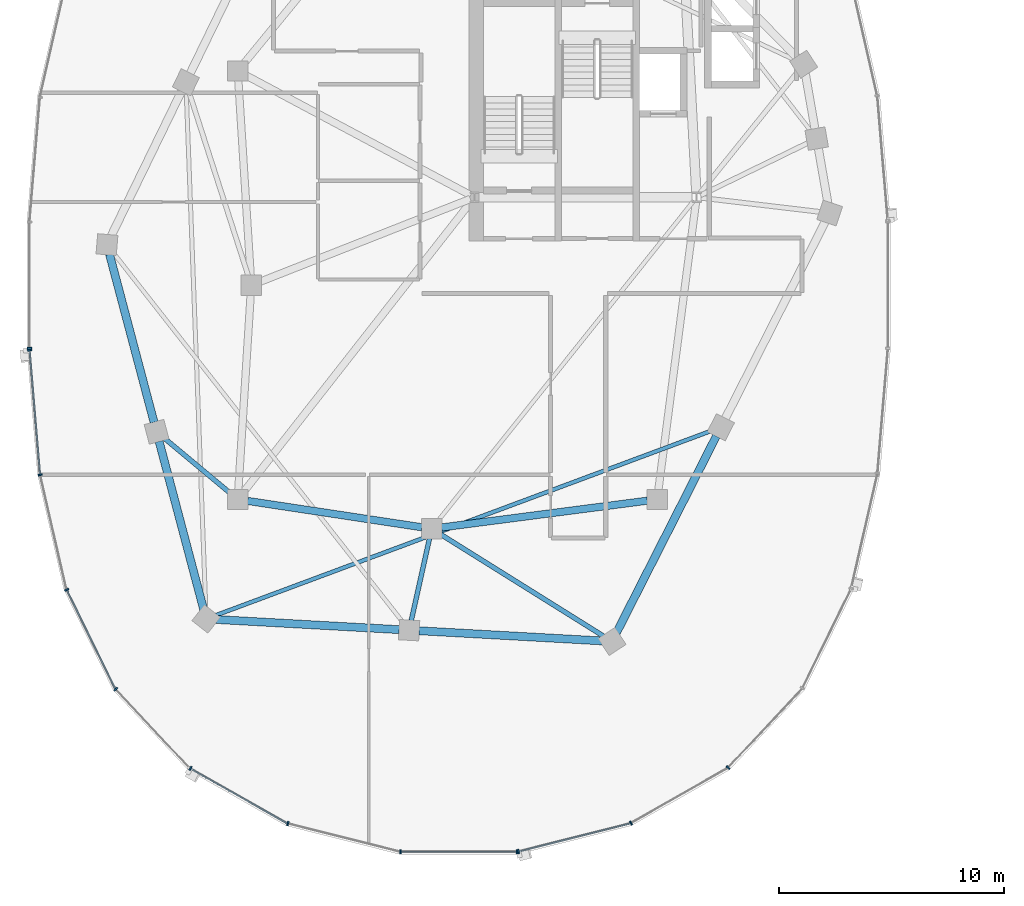
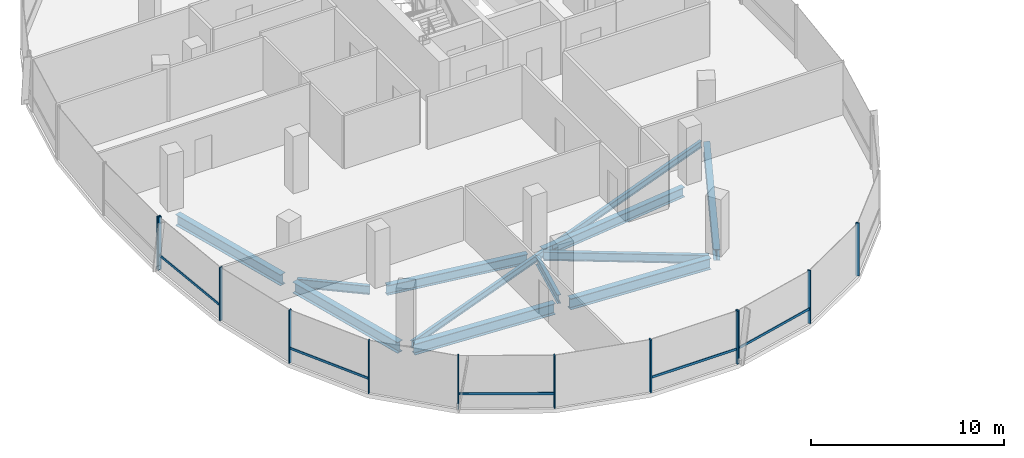
# One storey, part 3 of 25: 17 members, 11 beams, 3 elements without a shape of their own.
"""IFC4 building model written with IfcOpenShell, lengths in metres."""

from ifc_helpers import new_model, si_unit, direction, frame, origin, origin_2d, place, context, subcontext, project, spatial, rectangle, i_section, extrude, material, material_profile, profile_set, type_object, element, aggregate, save


model = new_model("IFC4")

# Units and contexts
model_context = context("Model", 3, precision=1e-05, world=origin(), true_north=direction((0.0, 1.0)))
body_context = subcontext(model_context, "Body", "Model", "MODEL_VIEW")
ifc_project = project(units=[si_unit("LENGTHUNIT", "METRE"), si_unit("AREAUNIT", "SQUARE_METRE"), si_unit("VOLUMEUNIT", "CUBIC_METRE"), si_unit("PLANEANGLEUNIT", "RADIAN"), si_unit("MASSUNIT", "GRAM", prefix="KILO"), si_unit("THERMODYNAMICTEMPERATUREUNIT", "KELVIN"), si_unit("POWERUNIT", "WATT")], contexts=[model_context])

# Site, building, storey
site_placement = place(None, origin())
site = spatial("IfcSite", under=ifc_project, at=site_placement, CompositionType="ELEMENT")
building_placement = place(site_placement, origin())
building = spatial("IfcBuilding", under=site, at=building_placement, Name="Cundina Bronze Exchange", CompositionType="ELEMENT")
storey_placement = place(building_placement, frame((0.0, 0.0, 209.800048828125)))
storey = spatial("IfcBuildingStorey", under=building, at=storey_placement, Name="L55", CompositionType="ELEMENT", Elevation=209.800048828125)

# Beams
ifc_material_1 = material(Name="Steel ASTM A992 Grade 50", Category="steel")
ifc_material_profile_1 = material_profile(ifc_material_1, i_section(OverallWidth=0.2119140625, OverallDepth=0.5439453125, WebThickness=0.01318359375, FlangeThickness=0.021240234375, FilletRadius=0.013916015625, at=origin_2d()), Name="W21X83", Category="steel")
ifc_profile_set_1 = profile_set([ifc_material_profile_1], Name="Steel ASTM A992 Grade 50")
beam_type_1 = type_object("IfcBeamType", Name="BM-FLR-W21A", PredefinedType="BEAM", material=ifc_profile_set_1)
beam_1_placement = place(storey_placement, frame((-42.136474609375, -9.219482421875, -0.531982421875), z_axis=(-0.768247540987, 0.640152884683, 0.0), x_axis=(-0.640152884683, -0.768247540987, 0.0)))
element("IfcBeam", 1, at=beam_1_placement, inside=storey, type_object=beam_type_1, Name="L55 Leg W Radial Floor Beam 09", PredefinedType="BEAM", context=body_context, shape_type="SweptSolid", body=[
    extrude(i_section(OverallWidth=0.2119140625, OverallDepth=0.5439453125, WebThickness=0.01318359375, FlangeThickness=0.021240234375, FilletRadius=0.013916015625, at=origin_2d()), origin(), (0.0, 0.0, 1.0), 3.81005859375),
])
beam_2_placement = place(storey_placement, frame((-33.294921875, -11.2275390625, -0.531982421875), z_axis=(-0.216958151571, -0.976180905605, 0.0), x_axis=(0.976180905605, -0.216958151571, 0.0)))
element("IfcBeam", 2, at=beam_2_placement, inside=storey, type_object=beam_type_1, Name="L55 Leg W Radial Floor Beam 11", PredefinedType="BEAM", context=body_context, shape_type="SweptSolid", body=[
    extrude(i_section(OverallWidth=0.2119140625, OverallDepth=0.5439453125, WebThickness=0.01318359375, FlangeThickness=0.021240234375, FilletRadius=0.013916015625, at=origin_2d()), origin(), (0.0, 0.0, 1.0), 3.733642578125),
])
beam_3_placement = place(storey_placement, frame((-32.82861328125, -11.031982421875, -0.531982421875), z_axis=(0.847995098703, -0.530004068452, 0.0), x_axis=(0.530004068452, 0.847995098703, 0.0)))
element("IfcBeam", 3, at=beam_3_placement, inside=storey, type_object=beam_type_1, Name="L55 Leg W Radial Floor Beam 12", PredefinedType="BEAM", context=body_context, shape_type="SweptSolid", body=[
    extrude(i_section(OverallWidth=0.2119140625, OverallDepth=0.5439453125, WebThickness=0.01318359375, FlangeThickness=0.021240234375, FilletRadius=0.013916015625, at=origin_2d()), origin(), (0.0, 0.0, 1.0), 8.55810546875),
])
ifc_material_profile_2 = material_profile(ifc_material_1, i_section(OverallWidth=0.178955078125, OverallDepth=0.409912109375, WebThickness=0.0087890625, FlangeThickness=0.014404296875, FilletRadius=0.010986328125, at=origin_2d()), Name="W16X45", Category="steel")
ifc_profile_set_2 = profile_set([ifc_material_profile_2], Name="Steel ASTM A992 Grade 50")
beam_type_2 = type_object("IfcBeamType", Name="BM-JST-W16", PredefinedType="JOIST", material=ifc_profile_set_2)
beam_4_placement = place(storey_placement, frame((-42.78955078125, -14.647216796875, -0.465087890625), z_axis=(0.937127927239, 0.348986028358, 0.0), x_axis=(-0.348986028358, 0.937127927239, 0.0)))
element("IfcBeam", 4, at=beam_4_placement, inside=storey, type_object=beam_type_2, Name="L55 Leg W Lobe Floor Joist 10-13", PredefinedType="JOIST", context=body_context, shape_type="SweptSolid", body=[
    extrude(i_section(OverallWidth=0.178955078125, OverallDepth=0.409912109375, WebThickness=0.0087890625, FlangeThickness=0.014404296875, FilletRadius=0.010986328125, at=origin_2d()), origin(), (0.0, 0.0, 1.0), 23.48046875),
])
ifc_material_profile_3 = material_profile(ifc_material_1, i_section(OverallWidth=0.324951171875, OverallDepth=0.615966796875, WebThickness=0.013916015625, FlangeThickness=0.021484375, FilletRadius=0.01611328125, at=origin_2d()), Name="W24X117", Category="steel")
ifc_profile_set_3 = profile_set([ifc_material_profile_3], Name="Steel ASTM A992 Grade 50")
beam_type_3 = type_object("IfcBeamType", Name="BM-RING-W24", PredefinedType="USERDEFINED", material=ifc_profile_set_3)
beam_5_placement = place(storey_placement, frame((-41.366943359375, -9.5654296875, -0.568115234375), z_axis=(0.988764903598, -0.149478979839, 0.0), x_axis=(0.149478979839, 0.988764903598, 0.0)))
element("IfcBeam", 5, at=beam_5_placement, inside=storey, type_object=beam_type_3, Name="L55 W Inner Structural Ring Girder 05", ObjectType="GIRDER", PredefinedType="USERDEFINED", context=body_context, shape_type="SweptSolid", body=[
    extrude(i_section(OverallWidth=0.324951171875, OverallDepth=0.615966796875, WebThickness=0.013916015625, FlangeThickness=0.021484375, FilletRadius=0.01611328125, at=origin_2d()), origin(), (0.0, 0.0, 1.0), 7.82177734375),
])
beam_6_placement = place(storey_placement, frame((-32.765625, -10.743408203125, -0.568115234375), z_axis=(0.991656498582, 0.128908451316, 0.0), x_axis=(-0.128908451316, 0.991656498582, 0.0)))
element("IfcBeam", 6, at=beam_6_placement, inside=storey, type_object=beam_type_3, Name="L55 W Inner Structural Ring Girder 06", ObjectType="GIRDER", PredefinedType="USERDEFINED", context=body_context, shape_type="SweptSolid", body=[
    extrude(i_section(OverallWidth=0.324951171875, OverallDepth=0.615966796875, WebThickness=0.013916015625, FlangeThickness=0.021484375, FilletRadius=0.01611328125, at=origin_2d()), origin(), (0.0, 0.0, 1.0), 9.208251953125),
])
ifc_material_profile_4 = material_profile(ifc_material_1, i_section(OverallWidth=0.35498046875, OverallDepth=0.695068359375, WebThickness=0.015380859375, FlangeThickness=0.02490234375, FilletRadius=0.01806640625, at=origin_2d()), Name="W27X146", Category="steel")
ifc_profile_set_4 = profile_set([ifc_material_profile_4], Name="Steel ASTM A992 Grade 50")
beam_type_4 = type_object("IfcBeamType", Name="BM-RING-W27", PredefinedType="USERDEFINED", material=ifc_profile_set_4)
for number, where, z_axis, x_axis, name in (
    (7, (-47.48779296875, 1.376708984375, -0.607666015625), (0.256211934474, -0.966620631185, 0.0), (0.966620631185, 0.256211934474, 0.0), "L55 W Perimeter Ring Girder 08"),
    (8, (-45.287841796875, -6.92333984375, -0.607666015625), (0.256211934474, -0.966620631185, 0.0), (0.966620631185, 0.256211934474, 0.0), "L55 W Perimeter Ring Girder 09"),
):
    element("IfcBeam", number, at=place(storey_placement, frame(where, z_axis=z_axis, x_axis=x_axis)), inside=storey, type_object=beam_type_4, Name=name, ObjectType="GIRDER", PredefinedType="USERDEFINED", context=body_context, shape_type="SweptSolid", body=[
        extrude(i_section(OverallWidth=0.35498046875, OverallDepth=0.695068359375, WebThickness=0.015380859375, FlangeThickness=0.02490234375, FilletRadius=0.01806640625, at=origin_2d()), origin(), (0.0, 0.0, 1.0), 7.710693359375),
    ])
for number, where, z_axis, x_axis, name in (
    (9, (-42.7626953125, -14.82421875, -0.607666015625), (0.998460353205, -0.055470019623, 0.0), (0.055470019623, 0.998460353205, 0.0), "L55 W Perimeter Ring Girder 10"),
    (10, (-33.7626953125, -15.32421875, -0.607666015625), (0.998460353205, -0.055470019623, 0.0), (0.055470019623, 0.998460353205, 0.0), "L55 W Perimeter Ring Girder 11"),
):
    element("IfcBeam", number, at=place(storey_placement, frame(where, z_axis=z_axis, x_axis=x_axis)), inside=storey, type_object=beam_type_4, Name=name, ObjectType="GIRDER", PredefinedType="USERDEFINED", context=body_context, shape_type="SweptSolid", body=[
        extrude(i_section(OverallWidth=0.35498046875, OverallDepth=0.695068359375, WebThickness=0.015380859375, FlangeThickness=0.02490234375, FilletRadius=0.01806640625, at=origin_2d()), origin(), (0.0, 0.0, 1.0), 8.137939453125),
    ])
beam_7_placement = place(storey_placement, frame((-25.001708984375, -15.409423828125, -0.607666015625), z_axis=(0.452846871434, 0.891588308039, 0.0), x_axis=(-0.891588308039, 0.452846871434, 0.0)))
element("IfcBeam", 11, at=beam_7_placement, inside=storey, type_object=beam_type_4, Name="L55 W Perimeter Ring Girder 12", ObjectType="GIRDER", PredefinedType="USERDEFINED", context=body_context, shape_type="SweptSolid", body=[
    extrude(i_section(OverallWidth=0.35498046875, OverallDepth=0.695068359375, WebThickness=0.015380859375, FlangeThickness=0.02490234375, FilletRadius=0.01806640625, at=origin_2d()), origin(), (0.0, 0.0, 1.0), 9.779052734375),
])

# Curtain wall, member
ifc_material_2 = material(Name="Anodised Bronze Aluminium 6063-T6", Category="aluminium")
curtain_wall_type = type_object("IfcCurtainWallType", Name="CWS-UPP-OFF", PredefinedType="NOTDEFINED", material=ifc_material_2)
curtain_wall_1_placement = place(storey_placement, origin())
curtain_wall_1 = element("IfcCurtainWall", 12, at=curtain_wall_1_placement, inside=storey, type_object=curtain_wall_type, Name="L55 CW-05 Curtain Wall Run CWR-L55-W2", PredefinedType="NOTDEFINED")
ifc_material_profile_5 = material_profile(ifc_material_2, rectangle(XDim=0.070068359375, YDim=0.18994140625, at=origin_2d()), Name="AL70X190", Category="aluminium")
ifc_profile_set_5 = profile_set([ifc_material_profile_5], Name="Anodised Bronze Aluminium 6063-T6")
member_type_1 = type_object("IfcMemberType", Name="CWM-MUL-190", PredefinedType="MULLION", material=ifc_profile_set_5)
member_1_placement = place(storey_placement, frame((-51.033935546875, -2.794921875, 0.0), z_axis=(0.0, 0.0, 1.0), x_axis=(0.0, -1.0, 0.0)))
member_1 = element("IfcMember", 13, at=member_1_placement, type_object=member_type_1, Name="CW-05 End Mullion", PredefinedType="MULLION", context=body_context, shape_type="SweptSolid", body=[
    extrude(rectangle(XDim=0.070068359375, YDim=0.18994140625, at=origin_2d()), origin(), (0.0, 0.0, 1.0), 3.33984375),
])
aggregate(curtain_wall_1, [member_1])

# Curtain wall, members
curtain_wall_2_placement = place(storey_placement, origin())
curtain_wall_2 = element("IfcCurtainWall", 14, at=curtain_wall_2_placement, inside=storey, type_object=curtain_wall_type, Name="L55 CW-05 Curtain Wall Run CWR-L55-W3", PredefinedType="NOTDEFINED")
member_2_placement = place(storey_placement, frame((-51.0302734375, -2.88330078125, 0.0), z_axis=(0.0, 0.0, 1.0), x_axis=(0.083677843332, -0.99649285925, 0.0)))
member_2 = element("IfcMember", 15, at=member_2_placement, type_object=member_type_1, Name="CW-05 Mullion 1", PredefinedType="MULLION", context=body_context, shape_type="SweptSolid", body=[
    extrude(rectangle(XDim=0.070068359375, YDim=0.18994140625, at=origin_2d()), origin(), (0.0, 0.0, 1.0), 3.33984375),
])
member_3_placement = place(storey_placement, frame((-50.56005859375, -8.4111328125, 0.0), z_axis=(0.0, 0.0, 1.0), x_axis=(0.223250116011, -0.974761194191, 0.0)))
member_3 = element("IfcMember", 16, at=member_3_placement, type_object=member_type_1, Name="CW-05 Mullion 2", PredefinedType="MULLION", context=body_context, shape_type="SweptSolid", body=[
    extrude(rectangle(XDim=0.070068359375, YDim=0.18994140625, at=origin_2d()), origin(), (0.0, 0.0, 1.0), 3.33984375),
])
member_4_placement = place(storey_placement, frame((-49.38427734375, -13.50732421875, 0.0), z_axis=(0.0, 0.0, 1.0), x_axis=(0.440566004113, -0.897720221461, 0.0)))
member_4 = element("IfcMember", 17, at=member_4_placement, type_object=member_type_1, Name="CW-05 Mullion 3", PredefinedType="MULLION", context=body_context, shape_type="SweptSolid", body=[
    extrude(rectangle(XDim=0.070068359375, YDim=0.18994140625, at=origin_2d()), origin(), (0.0, 0.0, 1.0), 3.33984375),
])
member_5_placement = place(storey_placement, frame((-47.209716796875, -17.91796875, 0.0), z_axis=(0.0, 0.0, 1.0), x_axis=(0.684292606175, -0.729207535023, 0.0)))
member_5 = element("IfcMember", 18, at=member_5_placement, type_object=member_type_1, Name="CW-05 Mullion 4", PredefinedType="MULLION", context=body_context, shape_type="SweptSolid", body=[
    extrude(rectangle(XDim=0.070068359375, YDim=0.18994140625, at=origin_2d()), origin(), (0.0, 0.0, 1.0), 3.33984375),
])
member_6_placement = place(storey_placement, frame((-43.899658203125, -21.43115234375, 0.0), z_axis=(0.0, 0.0, 1.0), x_axis=(0.86958112538, -0.493790103568, 0.0)))
member_6 = element("IfcMember", 19, at=member_6_placement, type_object=member_type_1, Name="CW-05 Mullion 5", PredefinedType="MULLION", context=body_context, shape_type="SweptSolid", body=[
    extrude(rectangle(XDim=0.070068359375, YDim=0.18994140625, at=origin_2d()), origin(), (0.0, 0.0, 1.0), 3.33984375),
])
member_7_placement = place(storey_placement, frame((-39.577392578125, -23.87548828125, 0.0), z_axis=(0.0, 0.0, 1.0), x_axis=(0.969744325821, -0.244122802168, 0.0)))
member_7 = element("IfcMember", 20, at=member_7_placement, type_object=member_type_1, Name="CW-05 Mullion 6", PredefinedType="MULLION", context=body_context, shape_type="SweptSolid", body=[
    extrude(rectangle(XDim=0.070068359375, YDim=0.18994140625, at=origin_2d()), origin(), (0.0, 0.0, 1.0), 3.33984375),
])
member_8_placement = place(storey_placement, frame((-34.580078125, -25.125, 0.0), z_axis=(0.0, 0.0, 1.0), x_axis=(1.0, 0.0, 0.0)))
member_8 = element("IfcMember", 21, at=member_8_placement, type_object=member_type_1, Name="CW-05 Mullion 7", PredefinedType="MULLION", context=body_context, shape_type="SweptSolid", body=[
    extrude(rectangle(XDim=0.070068359375, YDim=0.18994140625, at=origin_2d()), origin(), (0.0, 0.0, 1.0), 3.33984375),
])
member_9_placement = place(storey_placement, frame((-29.419921875, -25.125, 0.0), z_axis=(0.0, 0.0, 1.0), x_axis=(1.0, 0.0, 0.0)))
member_9 = element("IfcMember", 22, at=member_9_placement, type_object=member_type_1, Name="CW-05 End Mullion", PredefinedType="MULLION", context=body_context, shape_type="SweptSolid", body=[
    extrude(rectangle(XDim=0.070068359375, YDim=0.18994140625, at=origin_2d()), origin(), (0.0, 0.0, 1.0), 3.33984375),
])

curtain_wall_3_placement = place(storey_placement, origin())
curtain_wall_3 = element("IfcCurtainWall", 23, at=curtain_wall_3_placement, inside=storey, type_object=curtain_wall_type, Name="L55 CW-05 Curtain Wall Run CWR-L55-W4", PredefinedType="NOTDEFINED")
member_10_placement = place(storey_placement, frame((-29.3515625, -25.116455078125, 0.0), z_axis=(0.0, 0.0, 1.0), x_axis=(0.969744325821, 0.244122802168, 0.0)))
member_10 = element("IfcMember", 24, at=member_10_placement, type_object=member_type_1, Name="CW-05 Mullion 1", PredefinedType="MULLION", context=body_context, shape_type="SweptSolid", body=[
    extrude(rectangle(XDim=0.070068359375, YDim=0.18994140625, at=origin_2d()), origin(), (0.0, 0.0, 1.0), 3.33984375),
])
member_11_placement = place(storey_placement, frame((-24.361083984375, -23.850830078125, 0.0), z_axis=(0.0, 0.0, 1.0), x_axis=(0.86958112538, 0.493790103568, 0.0)))
member_11 = element("IfcMember", 25, at=member_11_placement, type_object=member_type_1, Name="CW-05 Mullion 2", PredefinedType="MULLION", context=body_context, shape_type="SweptSolid", body=[
    extrude(rectangle(XDim=0.070068359375, YDim=0.18994140625, at=origin_2d()), origin(), (0.0, 0.0, 1.0), 3.33984375),
])
member_12_placement = place(storey_placement, frame((-20.05126953125, -21.392578125, 0.0), z_axis=(0.0, 0.0, 1.0), x_axis=(0.684292606175, 0.729207535023, 0.0)))
member_12 = element("IfcMember", 26, at=member_12_placement, type_object=member_type_1, Name="CW-05 Mullion 3", PredefinedType="MULLION", context=body_context, shape_type="SweptSolid", body=[
    extrude(rectangle(XDim=0.070068359375, YDim=0.18994140625, at=origin_2d()), origin(), (0.0, 0.0, 1.0), 3.33984375),
])

# Member
ifc_material_profile_6 = material_profile(ifc_material_2, rectangle(XDim=0.06494140625, YDim=0.14990234375, at=origin_2d()), Name="AL65X150", Category="aluminium")
ifc_profile_set_6 = profile_set([ifc_material_profile_6], Name="Anodised Bronze Aluminium 6063-T6")
member_type_2 = type_object("IfcMemberType", Name="CWM-TRN-150", PredefinedType="USERDEFINED", material=ifc_profile_set_6)
member_13_placement = place(storey_placement, frame((-51.027099609375, -2.921630859375, 0.919921875), z_axis=(0.083740331158, -0.996487610027, 0.0), x_axis=(0.996487610027, 0.083740331158, 0.0)))
member_13 = element("IfcMember", 27, at=member_13_placement, type_object=member_type_2, Name="CW-05 Spandrel Transom 1", ObjectType="TRANSOM", PredefinedType="USERDEFINED", context=body_context, shape_type="SweptSolid", body=[
    extrude(rectangle(XDim=0.06494140625, YDim=0.14990234375, at=origin_2d()), origin(), (0.0, 0.0, 1.0), 5.466552734375),
])

member_14_placement = place(storey_placement, frame((-49.3671875, -13.5419921875, 0.919921875), z_axis=(0.440483110889, -0.897760897467, 0.0), x_axis=(0.897760897467, 0.440483110889, 0.0)))
member_14 = element("IfcMember", 28, at=member_14_placement, type_object=member_type_2, Name="CW-05 Spandrel Transom 3", ObjectType="TRANSOM", PredefinedType="USERDEFINED", context=body_context, shape_type="SweptSolid", body=[
    extrude(rectangle(XDim=0.06494140625, YDim=0.14990234375, at=origin_2d()), origin(), (0.0, 0.0, 1.0), 4.855224609375),
])

member_15_placement = place(storey_placement, frame((-43.8662109375, -21.4501953125, 0.919921875), z_axis=(0.869573748083, -0.493803095013, 0.0), x_axis=(0.493803095013, 0.869573748083, 0.0)))
member_15 = element("IfcMember", 29, at=member_15_placement, type_object=member_type_2, Name="CW-05 Spandrel Transom 5", ObjectType="TRANSOM", PredefinedType="USERDEFINED", context=body_context, shape_type="SweptSolid", body=[
    extrude(rectangle(XDim=0.06494140625, YDim=0.14990234375, at=origin_2d()), origin(), (0.0, 0.0, 1.0), 4.900146484375),
])

member_16_placement = place(storey_placement, frame((-34.54150390625, -25.125, 0.919921875), z_axis=(1.0, 0.0, 0.0), x_axis=(0.0, 1.0, 0.0)))
member_16 = element("IfcMember", 30, at=member_16_placement, type_object=member_type_2, Name="CW-05 Spandrel Transom 7", ObjectType="TRANSOM", PredefinedType="USERDEFINED", context=body_context, shape_type="SweptSolid", body=[
    extrude(rectangle(XDim=0.06494140625, YDim=0.14990234375, at=origin_2d()), origin(), (0.0, 0.0, 1.0), 5.0830078125),
])

aggregate(curtain_wall_2, [member_2, member_13, member_3, member_4, member_14, member_5, member_6, member_15, member_7, member_8, member_9, member_16])

member_17_placement = place(storey_placement, frame((-29.314208984375, -25.107177734375, 0.919921875), z_axis=(0.969725738797, 0.244196624699, 0.0), x_axis=(-0.244196624699, 0.969725738797, 0.0)))
member_17 = element("IfcMember", 31, at=member_17_placement, type_object=member_type_2, Name="CW-05 Spandrel Transom 1", ObjectType="TRANSOM", PredefinedType="USERDEFINED", context=body_context, shape_type="SweptSolid", body=[
    extrude(rectangle(XDim=0.06494140625, YDim=0.14990234375, at=origin_2d()), origin(), (0.0, 0.0, 1.0), 5.082763671875),
])

aggregate(curtain_wall_3, [member_10, member_17, member_11, member_12])

save(model, "model.ifc")
